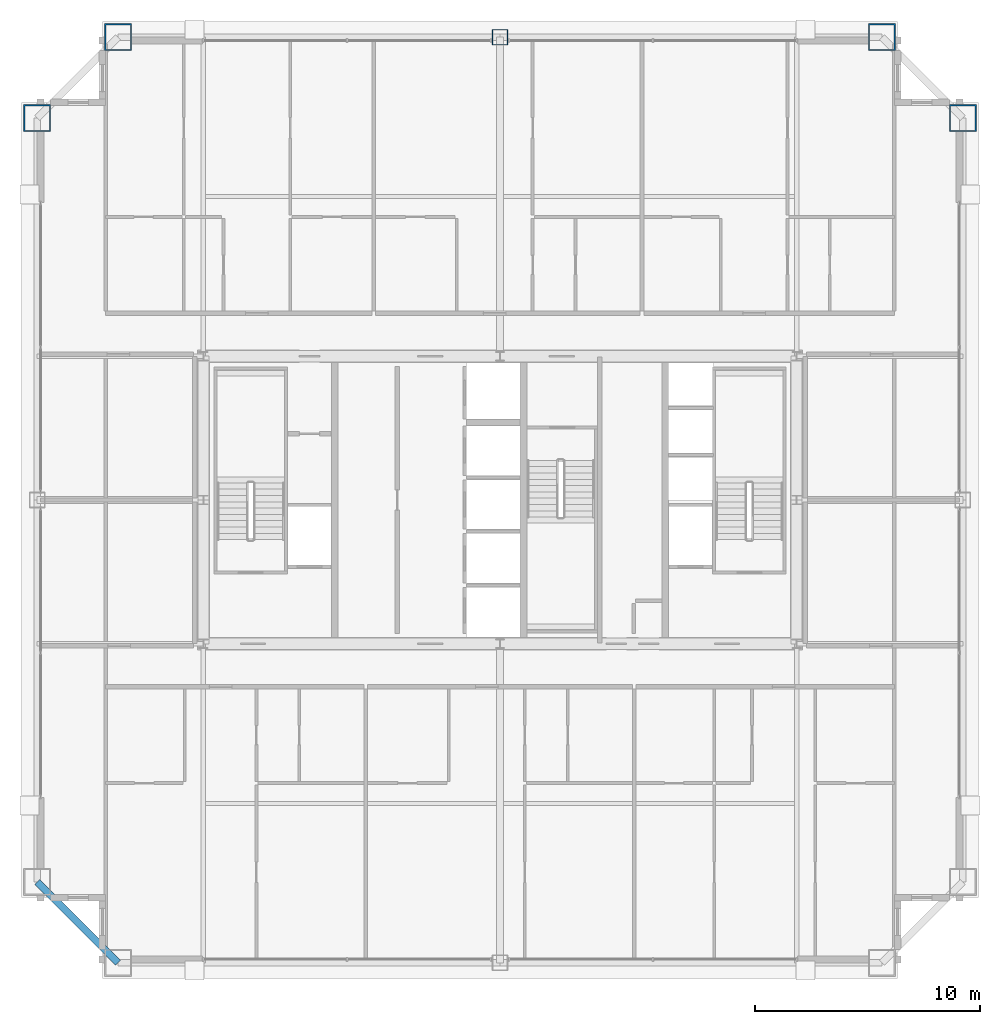
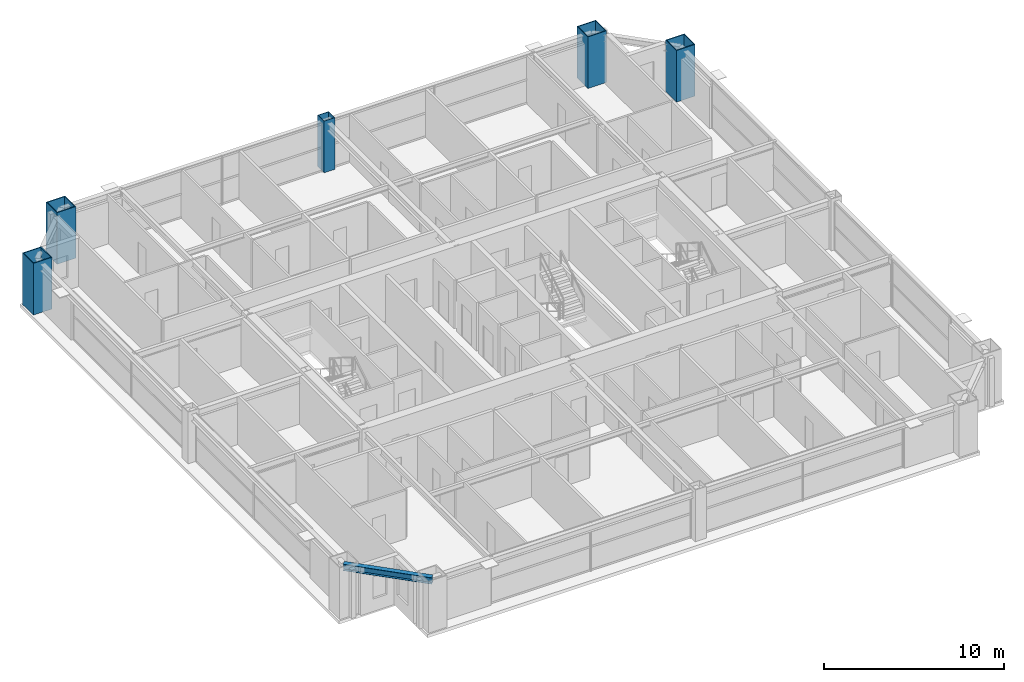
# One storey, part 2 of 37: 5 columns, 1 beam.
"""IFC4 building model written with IfcOpenShell, lengths in metres."""

from ifc_helpers import new_model, si_unit, direction, frame, origin, origin_2d, place, context, subcontext, project, spatial, hollow_rectangle, i_section, extrude, source, transform, mapped, material, material_profile, profile_set, type_object, element, save


model = new_model("IFC4")

# Units and contexts
model_context = context("Model", 3, precision=1e-05, world=origin(), true_north=direction((0.0, 1.0)))
body_context = subcontext(model_context, "Body", "Model", "MODEL_VIEW")
ifc_project = project(units=[si_unit("LENGTHUNIT", "METRE"), si_unit("AREAUNIT", "SQUARE_METRE"), si_unit("VOLUMEUNIT", "CUBIC_METRE"), si_unit("PLANEANGLEUNIT", "RADIAN"), si_unit("MASSUNIT", "GRAM", prefix="KILO"), si_unit("THERMODYNAMICTEMPERATUREUNIT", "KELVIN"), si_unit("POWERUNIT", "WATT")], contexts=[model_context])

# Site, building, storey
site_placement = place(None, origin())
site = spatial("IfcSite", under=ifc_project, at=site_placement, CompositionType="ELEMENT")
building_placement = place(site_placement, origin())
building = spatial("IfcBuilding", under=site, at=building_placement, Name="Yuzanri Waterfront Tower", CompositionType="ELEMENT")
storey_placement = place(building_placement, frame((0.0, 0.0, 252.10009765625)))
storey = spatial("IfcBuildingStorey", under=building, at=storey_placement, Name="L67", CompositionType="ELEMENT", Elevation=252.10009765625)

# Columns
ifc_material_1 = material(Name="Steel Q390GJC", Category="steel")
ifc_material_profile_1 = material_profile(ifc_material_1, hollow_rectangle(XDim=1.199951171875, YDim=1.199951171875, WallThickness=0.054931640625, at=origin_2d()), Name="RHS 1200x1200x55")
ifc_profile_set_1 = profile_set([ifc_material_profile_1], Name="Steel Q390GJC")
column_type_1 = type_object("IfcColumnType", Name="Mega Column Q390GJC RHS 1200x1200x55", PredefinedType="COLUMN", material=ifc_profile_set_1)
shared_shape_1 = source(origin(), body_context, "Body", "SweptSolid", [
    extrude(hollow_rectangle(XDim=1.199951171875, YDim=1.199951171875, WallThickness=0.054931640625, at=origin_2d()), origin(), (0.0, 0.0, 1.0), 3.5),
])
for number, where, z_axis, x_axis, name in (
    (1, (20.0, 46.39990234375, 0.0), (0.0, 0.0, 1.0), (1.0, 0.0, 0.0), "L67 Perimeter Mega Column N1"),
    (2, (54.0, 46.39990234375, 0.0), (0.0, 0.0, 1.0), (1.0, 0.0, 0.0), "L67 Perimeter Mega Column N3"),
    (3, (16.39990234375, 42.800048828125, 0.0), (0.0, 0.0, 1.0), (1.0, 0.0, 0.0), "L67 Perimeter Mega Column W3"),
    (4, (57.60009765625, 42.800048828125, 0.0), (0.0, 0.0, 1.0), (1.0, 0.0, 0.0), "L67 Perimeter Mega Column E3"),
):
    element("IfcColumn", number, at=place(storey_placement, frame(where, z_axis=z_axis, x_axis=x_axis)), inside=storey, type_object=column_type_1, Name=name, PredefinedType="COLUMN", context=body_context, shape_type="MappedRepresentation", body=[
        mapped(shared_shape_1, transform((0.0, 0.0, 0.0), scale=1.0)),
    ])
ifc_material_2 = material(Name="Steel Q355B", Category="steel")
ifc_material_profile_2 = material_profile(ifc_material_2, hollow_rectangle(XDim=0.699951171875, YDim=0.699951171875, WallThickness=0.031982421875, at=origin_2d()), Name="RHS 700x700x32")
ifc_profile_set_2 = profile_set([ifc_material_profile_2], Name="Steel Q355B")
column_type_2 = type_object("IfcColumnType", Name="Frame Column Q355B RHS 700x700x32", PredefinedType="COLUMN", material=ifc_profile_set_2)
shared_shape_2 = source(origin(), body_context, "Body", "SweptSolid", [
    extrude(hollow_rectangle(XDim=0.699951171875, YDim=0.699951171875, WallThickness=0.031982421875, at=origin_2d()), origin(), (0.0, 0.0, 1.0), 3.5),
])
column_placement = place(storey_placement, frame((37.0, 46.39990234375, 0.0), z_axis=(0.0, 0.0, 1.0), x_axis=(1.0, 0.0, 0.0)))
element("IfcColumn", 5, at=column_placement, inside=storey, type_object=column_type_2, Name="L67 Perimeter Frame Column N2", PredefinedType="COLUMN", context=body_context, shape_type="MappedRepresentation", body=[
    mapped(shared_shape_2, transform((0.0, 0.0, 0.0), scale=1.0)),
])

# Beam
ifc_material_3 = material(Name="Steel Q355B", Category="steel")
ifc_material_profile_3 = material_profile(ifc_material_3, i_section(OverallWidth=0.300048828125, OverallDepth=0.43994140625, WebThickness=0.010986328125, FlangeThickness=0.01806640625, at=origin_2d()), Name="HM 440x300x11x18")
ifc_profile_set_3 = profile_set([ifc_material_profile_3], Name="Steel Q355B")
beam_type = type_object("IfcBeamType", Name="Perimeter Spandrel Q355B HM 440x300", PredefinedType="SPANDREL", material=ifc_profile_set_3)
shared_shape_3 = source(origin(), body_context, "Body", "SweptSolid", [
    extrude(i_section(OverallWidth=0.300048828125, OverallDepth=0.43994140625, WebThickness=0.010986328125, FlangeThickness=0.01806640625, at=origin_2d()), origin(), (0.0, 0.0, 1.0), 5.09130859375),
])
beam_placement = place(storey_placement, frame((16.39990234375, 8.800048828125, 3.059814453125), z_axis=(0.707106781187, -0.707106781187, 0.0), x_axis=(0.707106781187, 0.707106781187, 0.0)))
element("IfcBeam", 6, at=beam_placement, inside=storey, type_object=beam_type, Name="L67 Perimeter Spandrel W1-S1", PredefinedType="SPANDREL", context=body_context, shape_type="MappedRepresentation", body=[
    mapped(shared_shape_3, transform((0.0, 0.0, 0.0), scale=1.0)),
])

save(model, "model.ifc")
